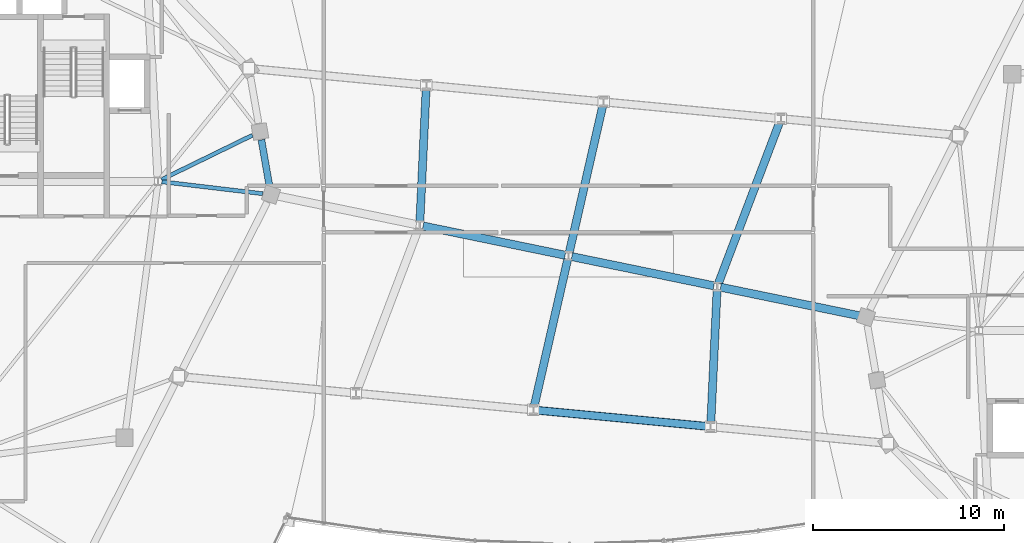
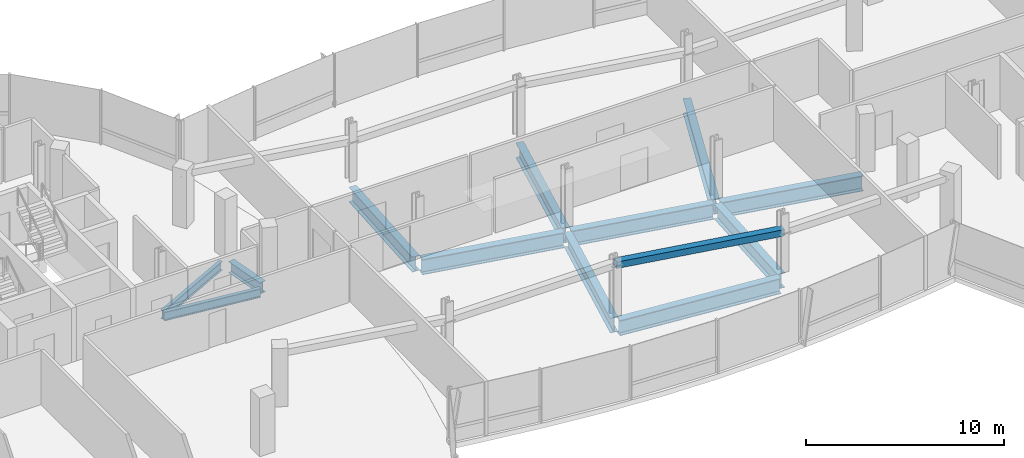
# One storey, part 5 of 25: 12 beams, 1 member.
"""IFC4 building model written with IfcOpenShell, lengths in metres."""

from ifc_helpers import new_model, si_unit, direction, frame, origin, origin_2d, place, context, subcontext, project, spatial, hollow_rectangle, i_section, extrude, material, material_profile, profile_set, type_object, element, save


model = new_model("IFC4")

# Units and contexts
model_context = context("Model", 3, precision=1e-05, world=origin(), true_north=direction((0.0, 1.0)))
body_context = subcontext(model_context, "Body", "Model", "MODEL_VIEW")
ifc_project = project(units=[si_unit("LENGTHUNIT", "METRE"), si_unit("AREAUNIT", "SQUARE_METRE"), si_unit("VOLUMEUNIT", "CUBIC_METRE"), si_unit("PLANEANGLEUNIT", "RADIAN"), si_unit("MASSUNIT", "GRAM", prefix="KILO"), si_unit("THERMODYNAMICTEMPERATUREUNIT", "KELVIN"), si_unit("POWERUNIT", "WATT")], contexts=[model_context])

# Site, building, storey
site_placement = place(None, origin())
site = spatial("IfcSite", under=ifc_project, at=site_placement, CompositionType="ELEMENT")
building_placement = place(site_placement, origin())
building = spatial("IfcBuilding", under=site, at=building_placement, Name="Cundina Bronze Exchange", CompositionType="ELEMENT")
storey_placement = place(building_placement, frame((0.0, 0.0, 239.60009765625)))
storey = spatial("IfcBuildingStorey", under=building, at=storey_placement, Name="L63", CompositionType="ELEMENT", Elevation=239.60009765625)

# Beams
ifc_material_1 = material(Name="Steel ASTM A992 Grade 50", Category="steel")
ifc_material_profile_1 = material_profile(ifc_material_1, i_section(OverallWidth=0.2119140625, OverallDepth=0.5439453125, WebThickness=0.01318359375, FlangeThickness=0.021240234375, FilletRadius=0.013916015625, at=origin_2d()), Name="W21X83", Category="steel")
ifc_profile_set_1 = profile_set([ifc_material_profile_1], Name="Steel ASTM A992 Grade 50")
beam_type_1 = type_object("IfcBeamType", Name="BM-FLR-W21A", PredefinedType="BEAM", material=ifc_profile_set_1)
beam_1_placement = place(storey_placement, frame((-21.25537109375, 3.876953125, -0.531982421875), z_axis=(0.993036786722, -0.117804669761, 0.0), x_axis=(0.117804669761, 0.993036786722, 0.0)))
element("IfcBeam", 1, at=beam_1_placement, inside=storey, type_object=beam_type_1, Name="L63 Leg W Radial Floor Beam 00", PredefinedType="BEAM", context=body_context, shape_type="SweptSolid", body=[
    extrude(i_section(OverallWidth=0.2119140625, OverallDepth=0.5439453125, WebThickness=0.01318359375, FlangeThickness=0.021240234375, FilletRadius=0.013916015625, at=origin_2d()), origin(), (0.0, 0.0, 1.0), 5.307373046875),
])
beam_2_placement = place(storey_placement, frame((-21.27392578125, 3.986083984375, -0.531982421875), z_axis=(0.898613202677, 0.438741737214, 0.0), x_axis=(-0.438741737214, 0.898613202677, 0.0)))
element("IfcBeam", 2, at=beam_2_placement, inside=storey, type_object=beam_type_1, Name="L63 Leg W Radial Floor Beam 01", PredefinedType="BEAM", context=body_context, shape_type="SweptSolid", body=[
    extrude(i_section(OverallWidth=0.2119140625, OverallDepth=0.5439453125, WebThickness=0.01318359375, FlangeThickness=0.021240234375, FilletRadius=0.013916015625, at=origin_2d()), origin(), (0.0, 0.0, 1.0), 5.2919921875),
])
ifc_material_profile_2 = material_profile(ifc_material_1, i_section(OverallWidth=0.35498046875, OverallDepth=0.695068359375, WebThickness=0.015380859375, FlangeThickness=0.02490234375, FilletRadius=0.01806640625, at=origin_2d()), Name="W27X146", Category="steel")
ifc_profile_set_2 = profile_set([ifc_material_profile_2], Name="Steel ASTM A992 Grade 50")
beam_type_2 = type_object("IfcBeamType", Name="BM-RING-W27", PredefinedType="USERDEFINED", material=ifc_profile_set_2)
beam_3_placement = place(storey_placement, frame((-15.625244140625, 3.631591796875, -0.607666015625), z_axis=(-0.171628556628, 0.985161732179, 0.0), x_axis=(-0.985161732179, -0.171628556628, 0.0)))
element("IfcBeam", 3, at=beam_3_placement, inside=storey, type_object=beam_type_2, Name="L63 W Perimeter Ring Girder 00", ObjectType="GIRDER", PredefinedType="USERDEFINED", context=body_context, shape_type="SweptSolid", body=[
    extrude(i_section(OverallWidth=0.35498046875, OverallDepth=0.695068359375, WebThickness=0.015380859375, FlangeThickness=0.02490234375, FilletRadius=0.01806640625, at=origin_2d()), origin(), (0.0, 0.0, 1.0), 2.4736328125),
])
ifc_material_profile_3 = material_profile(ifc_material_1, i_section(OverallWidth=0.423095703125, OverallDepth=0.947998046875, WebThickness=0.02392578125, FlangeThickness=0.042724609375, FilletRadius=0.02392578125, at=origin_2d()), Name="W36X302", Category="steel")
ifc_profile_set_3 = profile_set([ifc_material_profile_3], Name="Steel ASTM A992 Grade 50")
beam_type_3 = type_object("IfcBeamType", Name="BM-WRN-W36A", PredefinedType="USERDEFINED", material=ifc_profile_set_3)
beam_4_placement = place(storey_placement, frame((-1.658203125, -8.06689453125, -0.794189453125), z_axis=(0.995572136276, -0.094000646124, 0.0), x_axis=(0.094000646124, 0.995572136276, 0.0)))
element("IfcBeam", 4, at=beam_4_placement, inside=storey, type_object=beam_type_3, Name="L63 Sky-Gate Longitudinal Girder Y1-P3", ObjectType="GIRDER", PredefinedType="USERDEFINED", context=body_context, shape_type="SweptSolid", body=[
    extrude(i_section(OverallWidth=0.423095703125, OverallDepth=0.947998046875, WebThickness=0.02392578125, FlangeThickness=0.042724609375, FilletRadius=0.02392578125, at=origin_2d()), origin(), (0.0, 0.0, 1.0), 8.949951171875),
])
for number, where, z_axis, x_axis, name in (
    (5, (-7.5986328125, 1.563720703125, -0.794189453125), (0.979477625294, -0.201552924934, 0.0), (0.201552924934, 0.979477625294, 0.0), "L63 Sky-Gate Longitudinal Girder Y2-P2"),
    (6, (0.17626953125, -0.036376953125, -0.794189453125), (0.979477625294, -0.201552924934, 0.0), (0.201552924934, 0.979477625294, 0.0), "L63 Sky-Gate Longitudinal Girder Y2-P3"),
    (7, (7.951416015625, -1.63623046875, -0.794189453125), (0.979471264571, -0.20158383338, 0.0), (0.20158383338, 0.979471264571, 0.0), "L63 Sky-Gate Longitudinal Girder Y2-P4"),
):
    element("IfcBeam", number, at=place(storey_placement, frame(where, z_axis=z_axis, x_axis=x_axis)), inside=storey, type_object=beam_type_3, Name=name, ObjectType="GIRDER", PredefinedType="USERDEFINED", context=body_context, shape_type="SweptSolid", body=[
        extrude(i_section(OverallWidth=0.423095703125, OverallDepth=0.947998046875, WebThickness=0.02392578125, FlangeThickness=0.042724609375, FilletRadius=0.02392578125, at=origin_2d()), origin(), (0.0, 0.0, 1.0), 7.577880859375),
    ])
ifc_material_profile_4 = material_profile(ifc_material_1, i_section(OverallWidth=0.41796875, OverallDepth=0.927001953125, WebThickness=0.019287109375, FlangeThickness=0.031982421875, FilletRadius=0.02392578125, at=origin_2d()), Name="W36X231", Category="steel")
ifc_profile_set_4 = profile_set([ifc_material_profile_4], Name="Steel ASTM A992 Grade 50")
beam_type_4 = type_object("IfcBeamType", Name="BM-WRN-W36B", PredefinedType="USERDEFINED", material=ifc_profile_set_4)
beam_5_placement = place(storey_placement, frame((-7.7666015625, 1.77978515625, -0.78369140625), z_axis=(0.046881448177, 0.998900460415, 0.0), x_axis=(-0.998900460415, 0.046881448177, 0.0)))
element("IfcBeam", 8, at=beam_5_placement, inside=storey, type_object=beam_type_4, Name="L63 Sky-Gate Transverse Girder X1-N", ObjectType="GIRDER", PredefinedType="USERDEFINED", context=body_context, shape_type="SweptSolid", body=[
    extrude(i_section(OverallWidth=0.41796875, OverallDepth=0.927001953125, WebThickness=0.019287109375, FlangeThickness=0.031982421875, FilletRadius=0.02392578125, at=origin_2d()), origin(), (0.0, 0.0, 1.0), 6.972900390625),
])
for number, where, z_axis, x_axis, name in (
    (9, (-1.79736328125, -7.87451171875, -0.78369140625), (0.222530984599, 0.974925618134, 0.0), (-0.974925618134, 0.222530984599, 0.0), "L63 Sky-Gate Transverse Girder X2-S"),
    (10, (0.0400390625, 0.175537109375, -0.78369140625), (0.222530984599, 0.974925618134, 0.0), (-0.974925618134, 0.222530984599, 0.0), "L63 Sky-Gate Transverse Girder X2-N"),
):
    element("IfcBeam", number, at=place(storey_placement, frame(where, z_axis=z_axis, x_axis=x_axis)), inside=storey, type_object=beam_type_4, Name=name, ObjectType="GIRDER", PredefinedType="USERDEFINED", context=body_context, shape_type="SweptSolid", body=[
        extrude(i_section(OverallWidth=0.41796875, OverallDepth=0.927001953125, WebThickness=0.019287109375, FlangeThickness=0.031982421875, FilletRadius=0.02392578125, at=origin_2d()), origin(), (0.0, 0.0, 1.0), 7.89697265625),
    ])
beam_6_placement = place(storey_placement, frame((7.439697265625, -8.7451171875, -0.78369140625), z_axis=(0.046881448177, 0.998900460415, 0.0), x_axis=(-0.998900460415, 0.046881448177, 0.0)))
element("IfcBeam", 11, at=beam_6_placement, inside=storey, type_object=beam_type_4, Name="L63 Sky-Gate Transverse Girder X3-S", ObjectType="GIRDER", PredefinedType="USERDEFINED", context=body_context, shape_type="SweptSolid", body=[
    extrude(i_section(OverallWidth=0.41796875, OverallDepth=0.927001953125, WebThickness=0.019287109375, FlangeThickness=0.031982421875, FilletRadius=0.02392578125, at=origin_2d()), origin(), (0.0, 0.0, 1.0), 6.972900390625),
])
beam_7_placement = place(storey_placement, frame((7.8388671875, -1.431640625, -0.78369140625), z_axis=(0.354935532146, 0.934890778658, 0.0), x_axis=(-0.934890778658, 0.354935532146, 0.0)))
element("IfcBeam", 12, at=beam_7_placement, inside=storey, type_object=beam_type_4, Name="L63 Sky-Gate Transverse Girder X3-N", ObjectType="GIRDER", PredefinedType="USERDEFINED", context=body_context, shape_type="SweptSolid", body=[
    extrude(i_section(OverallWidth=0.41796875, OverallDepth=0.927001953125, WebThickness=0.019287109375, FlangeThickness=0.031982421875, FilletRadius=0.02392578125, at=origin_2d()), origin(), (0.0, 0.0, 1.0), 9.02587890625),
])

# Member
ifc_material_2 = material(Name="Steel ASTM A500 Grade C", Category="steel")
ifc_material_profile_5 = material_profile(ifc_material_2, hollow_rectangle(XDim=0.39990234375, YDim=0.39990234375, WallThickness=0.02197265625, at=origin_2d()), Name="HSS400X400X22", Category="steel")
ifc_profile_set_5 = profile_set([ifc_material_profile_5], Name="Steel ASTM A500 Grade C")
member_type = type_object("IfcMemberType", Name="MBR-WRN-HSS400", PredefinedType="BRACE", material=ifc_profile_set_5)
member_placement = place(storey_placement, frame((-1.83740234375, -8.050048828125, 3.1298828125), z_axis=(0.992691432213, -0.093712790545, -0.07603705215), x_axis=(0.093984877441, 0.995573625008, 0.0)))
element("IfcMember", 13, at=member_placement, inside=storey, type_object=member_type, Name="L63 Sky-Gate Warren Truss Diagonal Y1-P3", PredefinedType="BRACE", context=body_context, shape_type="SweptSolid", body=[
    extrude(hollow_rectangle(XDim=0.39990234375, YDim=0.39990234375, WallThickness=0.02197265625, at=origin_2d()), origin(), (0.0, 0.0, 1.0), 9.337158203125),
])

save(model, "model.ifc")
